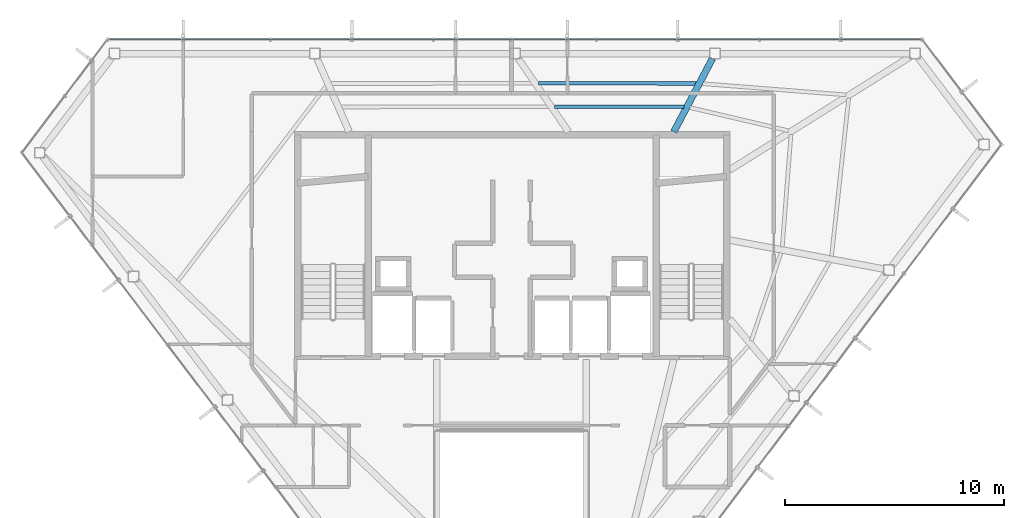
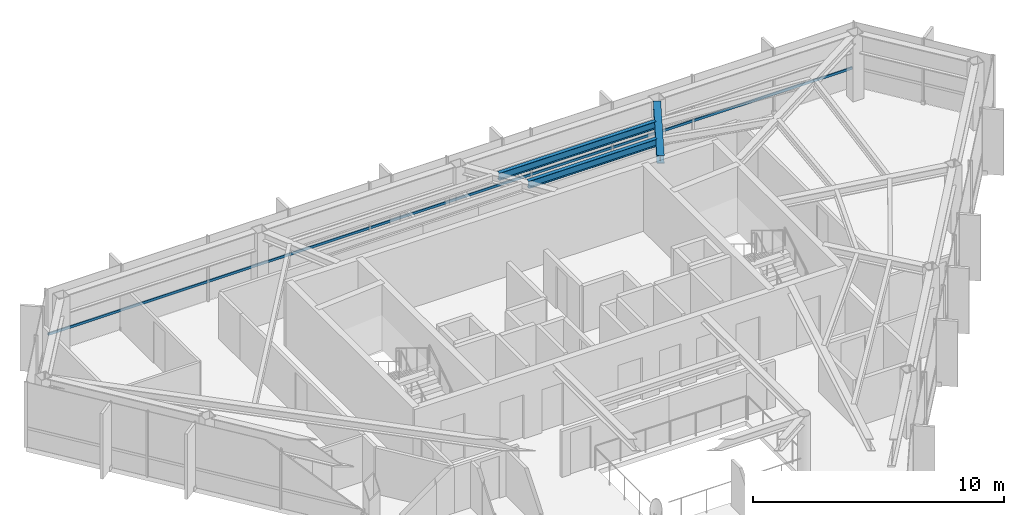
# One storey, part 13 of 24: 3 beams, 1 member, 1 element without a shape of its own.
"""IFC4 building model written with IfcOpenShell, lengths in metres."""

from ifc_helpers import new_model, si_unit, direction, frame, origin, origin_2d, place, context, subcontext, project, spatial, hollow_rectangle, i_section, extrude, material, layer, layer_set, material_profile, profile_set, type_object, element, aggregate, save


model = new_model("IFC4")

# Units and contexts
model_context = context("Model", 3, precision=1e-05, world=origin(), true_north=direction((0.0, 1.0)))
body_context = subcontext(model_context, "Body", "Model", "MODEL_VIEW")
ifc_project = project(units=[si_unit("LENGTHUNIT", "METRE"), si_unit("AREAUNIT", "SQUARE_METRE"), si_unit("VOLUMEUNIT", "CUBIC_METRE"), si_unit("PLANEANGLEUNIT", "RADIAN"), si_unit("MASSUNIT", "GRAM", prefix="KILO")], contexts=[model_context])

# Site, building, storey
site_placement = place(None, origin())
site = spatial("IfcSite", under=ifc_project, at=site_placement, CompositionType="ELEMENT")
building_placement = place(site_placement, origin())
building = spatial("IfcBuilding", under=site, at=building_placement, Name="Zarrinselat Tower", CompositionType="ELEMENT")
storey_placement = place(building_placement, frame((0.0, 0.0, 272.0)))
storey = spatial("IfcBuildingStorey", under=building, at=storey_placement, Name="L69", CompositionType="ELEMENT", Elevation=272.0)

# Beams
ifc_material_1 = material(Name="Steel S355J2", Category="steel")
ifc_material_profile_1 = material_profile(ifc_material_1, i_section(OverallWidth=0.300048828125, OverallDepth=0.39990234375, WebThickness=0.013427734375, FlangeThickness=0.02392578125, at=origin_2d()), Name="HEB 400")
ifc_profile_set_1 = profile_set([ifc_material_profile_1], Name="Steel S355J2")
beam_type_1 = type_object("IfcBeamType", Name="BM-HEB400", PredefinedType="BEAM", material=ifc_profile_set_1)
beam_1_placement = place(storey_placement, frame((45.800048828125, 43.5400390625, 2.97998046875), z_axis=(0.466849980871, 0.884336528343, 0.0), x_axis=(-0.884336528343, 0.466849980871, 0.0)))
element("IfcBeam", 1, at=beam_1_placement, inside=storey, type_object=beam_type_1, Name="L69 Radial Primary Girder RG02", PredefinedType="BEAM", context=body_context, shape_type="SweptSolid", body=[
    extrude(i_section(OverallWidth=0.300048828125, OverallDepth=0.39990234375, WebThickness=0.013427734375, FlangeThickness=0.02392578125, at=origin_2d()), origin(), (0.0, 0.0, 1.0), 3.773681640625),
])
ifc_material_2 = material(Name="Steel S355J2", Category="steel")
ifc_material_profile_2 = material_profile(ifc_material_2, i_section(OverallWidth=0.169921875, OverallDepth=0.360107421875, WebThickness=0.008056640625, FlangeThickness=0.0126953125, at=origin_2d()), Name="IPE 360")
ifc_profile_set_2 = profile_set([ifc_material_profile_2], Name="Steel S355J2")
beam_type_2 = type_object("IfcBeamType", Name="BM-IPE360", PredefinedType="JOIST", material=ifc_profile_set_2)
beam_2_placement = place(storey_placement, frame((39.62060546875, 45.752197265625, 3.0), z_axis=(0.999999126114, -0.001322032743, 0.0), x_axis=(0.001322032743, 0.999999126114, 0.0)))
element("IfcBeam", 2, at=beam_2_placement, inside=storey, type_object=beam_type_2, Name="L69 Composite Floor Joist 7-1", PredefinedType="JOIST", context=body_context, shape_type="SweptSolid", body=[
    extrude(i_section(OverallWidth=0.169921875, OverallDepth=0.360107421875, WebThickness=0.008056640625, FlangeThickness=0.0126953125, at=origin_2d()), origin(), (0.0, 0.0, 1.0), 7.2021484375),
])
beam_3_placement = place(storey_placement, frame((40.357421875, 44.6796875, 3.0), z_axis=(0.99999965773, -0.000827369096, 0.0), x_axis=(0.000827369096, 0.99999965773, 0.0)))
element("IfcBeam", 3, at=beam_3_placement, inside=storey, type_object=beam_type_2, Name="L69 Composite Floor Joist 7-2", PredefinedType="JOIST", context=body_context, shape_type="SweptSolid", body=[
    extrude(i_section(OverallWidth=0.169921875, OverallDepth=0.360107421875, WebThickness=0.008056640625, FlangeThickness=0.0126953125, at=origin_2d()), origin(), (0.0, 0.0, 1.0), 5.901611328125),
])

# Curtain wall, member
ifc_material_3 = material(Name="Extruded Aluminium Alloy EN AW-6063 T6", Category="aluminium")
ifc_layer = layer(ifc_material_3, 0.169921875)
ifc_layer_set = layer_set([ifc_layer], Name="Extruded Aluminium Alloy EN AW-6063 T6")
curtain_wall_type = type_object("IfcCurtainWallType", Name="CWS-RES", PredefinedType="NOTDEFINED", material=ifc_layer_set)
curtain_wall_placement = place(storey_placement, origin())
curtain_wall = element("IfcCurtainWall", 4, at=curtain_wall_placement, inside=storey, type_object=curtain_wall_type, Name="L69 Unitised Curtain Wall CW-L69-E01", PredefinedType="NOTDEFINED")
ifc_material_4 = material(Name="Extruded Aluminium Alloy EN AW-6063 T6", Category="aluminium")
ifc_material_profile_3 = material_profile(ifc_material_4, hollow_rectangle(XDim=0.06005859375, YDim=0.1201171875, WallThickness=0.00390625, at=origin_2d()), Name="RHS 120x60x4")
ifc_profile_set_3 = profile_set([ifc_material_profile_3], Name="Extruded Aluminium Alloy EN AW-6063 T6")
member_type = type_object("IfcMemberType", Name="MEM-CW-TRN2", PredefinedType="USERDEFINED", material=ifc_profile_set_3)
member_placement = place(storey_placement, frame((57.0361328125, 47.75, 0.949951171875), z_axis=(-1.0, 0.0, 0.0), x_axis=(0.0, -1.0, 0.0)))
member = element("IfcMember", 5, at=member_placement, type_object=member_type, Name="CW-L69-E01 Transom 1", ObjectType="TRANSOM", PredefinedType="USERDEFINED", context=body_context, shape_type="SweptSolid", body=[
    extrude(hollow_rectangle(XDim=0.06005859375, YDim=0.1201171875, WallThickness=0.00390625, at=origin_2d()), origin(), (0.0, 0.0, 1.0), 36.96240234375),
])
aggregate(curtain_wall, [member])

save(model, "model.ifc")
